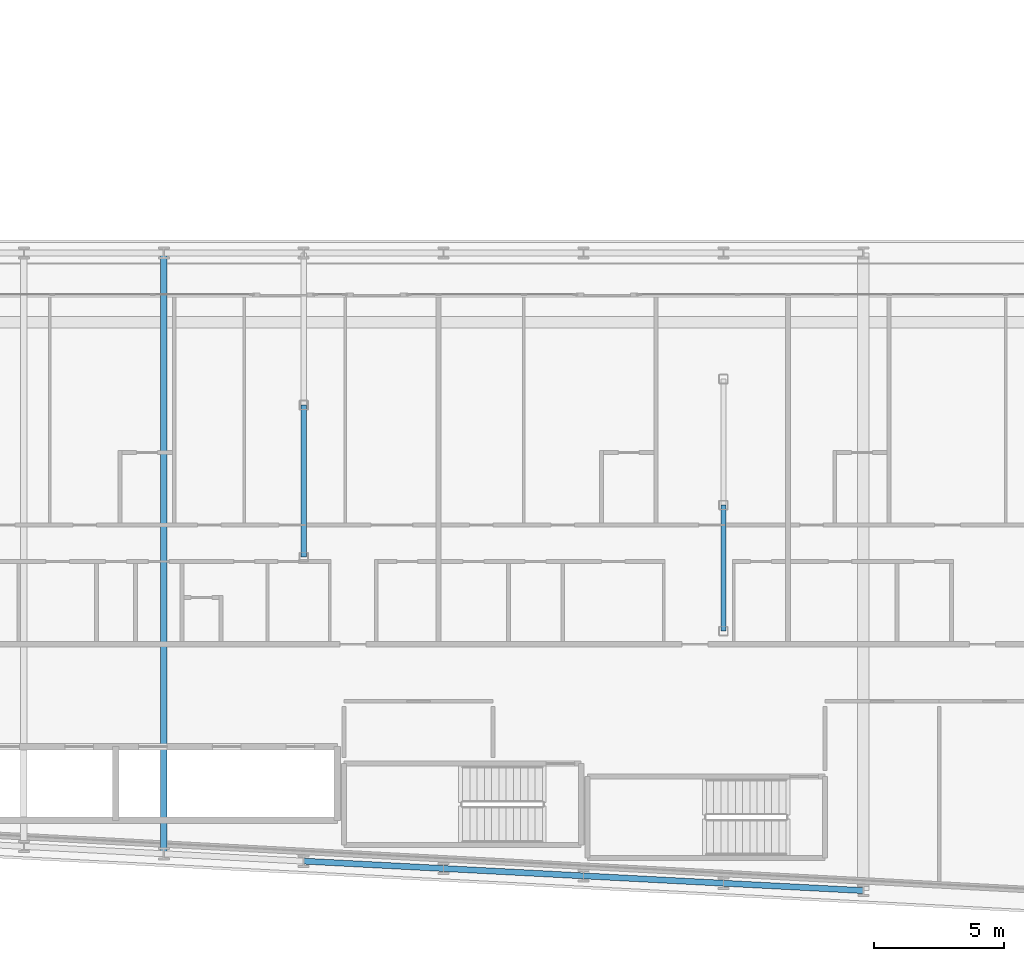
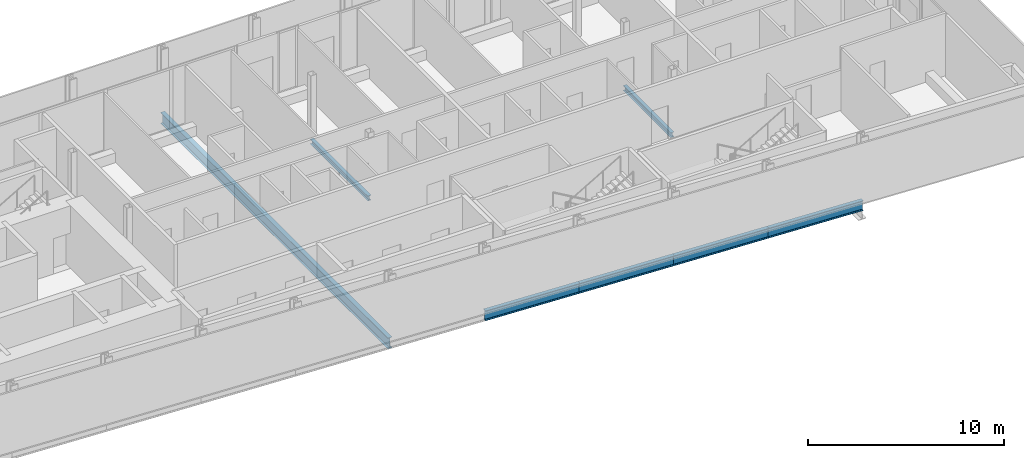
# One storey, part 5 of 29: 7 beams.
"""IFC4 building model written with IfcOpenShell, lengths in metres."""

from ifc_helpers import new_model, si_unit, direction, frame, origin, origin_2d, place, context, subcontext, project, spatial, i_section, extrude, material, material_profile, profile_set, type_object, element, save


model = new_model("IFC4")

# Units and contexts
model_context = context("Model", 3, precision=1e-05, world=origin(), true_north=direction((0.0, 1.0)))
body_context = subcontext(model_context, "Body", "Model", "MODEL_VIEW")
ifc_project = project(units=[si_unit("LENGTHUNIT", "METRE"), si_unit("AREAUNIT", "SQUARE_METRE"), si_unit("VOLUMEUNIT", "CUBIC_METRE"), si_unit("PLANEANGLEUNIT", "RADIAN"), si_unit("MASSUNIT", "GRAM", prefix="KILO")], contexts=[model_context])

# Site, building, storey
site_placement = place(None, origin())
site = spatial("IfcSite", under=ifc_project, at=site_placement, CompositionType="ELEMENT")
building_placement = place(site_placement, origin())
building = spatial("IfcBuilding", under=site, at=building_placement, Name="Kheshtan School and Residences Tower", CompositionType="ELEMENT")
storey_placement = place(building_placement, frame((0.0, 0.0, 65.60009765625)))
storey = spatial("IfcBuildingStorey", under=building, at=storey_placement, Name="L15", CompositionType="ELEMENT", Elevation=65.60009765625)

# Beams
ifc_material = material(Name="Steel ASTM A992 Grade 50", Category="steel")
ifc_material_profile_1 = material_profile(ifc_material, i_section(OverallWidth=0.202880859375, OverallDepth=0.302978515625, WebThickness=0.007568359375, FlangeThickness=0.01318359375, FilletRadius=0.009033203125, at=origin_2d()), Name="W310x60")
ifc_profile_set_1 = profile_set([ifc_material_profile_1], Name="Steel ASTM A992 Grade 50")
beam_type_1 = type_object("IfcBeamType", Name="Beam FB1 W310x60 ASTM A992 Grade 50", PredefinedType="BEAM", material=ifc_profile_set_1)
beam_1_placement = place(storey_placement, frame((85.39990234375, 31.0048828125, -0.301513671875), z_axis=(0.0, 1.0, 0.0), x_axis=(-1.0, 0.0, 0.0)))
element("IfcBeam", 1, at=beam_1_placement, inside=storey, type_object=beam_type_1, Name="Floor beam IC", PredefinedType="BEAM", context=body_context, shape_type="SweptSolid", body=[
    extrude(i_section(OverallWidth=0.202880859375, OverallDepth=0.302978515625, WebThickness=0.007568359375, FlangeThickness=0.01318359375, FilletRadius=0.009033203125, at=origin_2d()), origin(), (0.0, 0.0, 1.0), 4.865234375),
])
beam_2_placement = place(storey_placement, frame((69.199951171875, 33.863037109375, -0.301513671875), z_axis=(0.0, 1.0, 0.0), x_axis=(-1.0, 0.0, 0.0)))
element("IfcBeam", 2, at=beam_2_placement, inside=storey, type_object=beam_type_1, Name="Floor beam IC", PredefinedType="BEAM", context=body_context, shape_type="SweptSolid", body=[
    extrude(i_section(OverallWidth=0.202880859375, OverallDepth=0.302978515625, WebThickness=0.007568359375, FlangeThickness=0.01318359375, FilletRadius=0.009033203125, at=origin_2d()), origin(), (0.0, 0.0, 1.0), 5.868896484375),
])
ifc_material_profile_2 = material_profile(ifc_material, i_section(OverallWidth=0.2529296875, OverallDepth=0.677978515625, WebThickness=0.01171875, FlangeThickness=0.016357421875, FilletRadius=0.0146484375, at=origin_2d()), Name="W690x125")
ifc_profile_set_2 = profile_set([ifc_material_profile_2], Name="Steel ASTM A992 Grade 50")
beam_type_2 = type_object("IfcBeamType", Name="Beam FB6 W690x125 ASTM A992 Grade 50", PredefinedType="BEAM", material=ifc_profile_set_2)
beam_3_placement = place(storey_placement, frame((63.800048828125, 22.410888671875, -0.489013671875), z_axis=(0.0, 1.0, 0.0), x_axis=(-1.0, 0.0, 0.0)))
element("IfcBeam", 3, at=beam_3_placement, inside=storey, type_object=beam_type_2, Name="Floor beam C016", PredefinedType="BEAM", context=body_context, shape_type="SweptSolid", body=[
    extrude(i_section(OverallWidth=0.2529296875, OverallDepth=0.677978515625, WebThickness=0.01171875, FlangeThickness=0.016357421875, FilletRadius=0.0146484375, at=origin_2d()), origin(), (0.0, 0.0, 1.0), 23.189208984375),
])
ifc_material_profile_3 = material_profile(ifc_material, i_section(OverallWidth=0.22998046875, OverallDepth=0.616943359375, WebThickness=0.01318359375, FlangeThickness=0.022216796875, FilletRadius=0.0185546875, at=origin_2d()), Name="W610x140")
ifc_profile_set_3 = profile_set([ifc_material_profile_3], Name="Steel ASTM A992 Grade 50")
beam_type_3 = type_object("IfcBeamType", Name="Beam SP1 W610x140 ASTM A992 Grade 50", PredefinedType="BEAM", material=ifc_profile_set_3)
beam_4_placement = place(storey_placement, frame((90.800048828125, 20.989990234375, -0.45849609375), z_axis=(-0.998620571751, 0.05250670125, 0.0), x_axis=(-0.05250670125, -0.998620571751, 0.0)))
element("IfcBeam", 4, at=beam_4_placement, inside=storey, type_object=beam_type_3, Name="Spandrel beam C006-C008", PredefinedType="BEAM", context=body_context, shape_type="SweptSolid", body=[
    extrude(i_section(OverallWidth=0.22998046875, OverallDepth=0.616943359375, WebThickness=0.01318359375, FlangeThickness=0.022216796875, FilletRadius=0.0185546875, at=origin_2d()), origin(), (0.0, 0.0, 1.0), 5.40771484375),
])
for number, where, z_axis, x_axis, name in (
    (5, (85.39990234375, 21.27392578125, -0.45849609375), (-0.998618078766, 0.052554093665, 0.0), (-0.052554093665, -0.998618078766, 0.0), "Spandrel beam C008-C012"),
    (6, (80.0, 21.55810546875, -0.45849609375), (-0.998610961136, 0.052689166816, 0.0), (-0.052689166816, -0.998610961136, 0.0), "Spandrel beam C012-C013"),
):
    element("IfcBeam", number, at=place(storey_placement, frame(where, z_axis=z_axis, x_axis=x_axis)), inside=storey, type_object=beam_type_3, Name=name, PredefinedType="BEAM", context=body_context, shape_type="SweptSolid", body=[
        extrude(i_section(OverallWidth=0.22998046875, OverallDepth=0.616943359375, WebThickness=0.01318359375, FlangeThickness=0.022216796875, FilletRadius=0.0185546875, at=origin_2d()), origin(), (0.0, 0.0, 1.0), 5.407470703125),
    ])
beam_5_placement = place(storey_placement, frame((74.60009765625, 21.843017578125, -0.45849609375), z_axis=(-0.998620571751, 0.05250670125, 0.0), x_axis=(-0.05250670125, -0.998620571751, 0.0)))
element("IfcBeam", 7, at=beam_5_placement, inside=storey, type_object=beam_type_3, Name="Spandrel beam C013-C014", PredefinedType="BEAM", context=body_context, shape_type="SweptSolid", body=[
    extrude(i_section(OverallWidth=0.22998046875, OverallDepth=0.616943359375, WebThickness=0.01318359375, FlangeThickness=0.022216796875, FilletRadius=0.0185546875, at=origin_2d()), origin(), (0.0, 0.0, 1.0), 5.40771484375),
])

save(model, "model.ifc")
